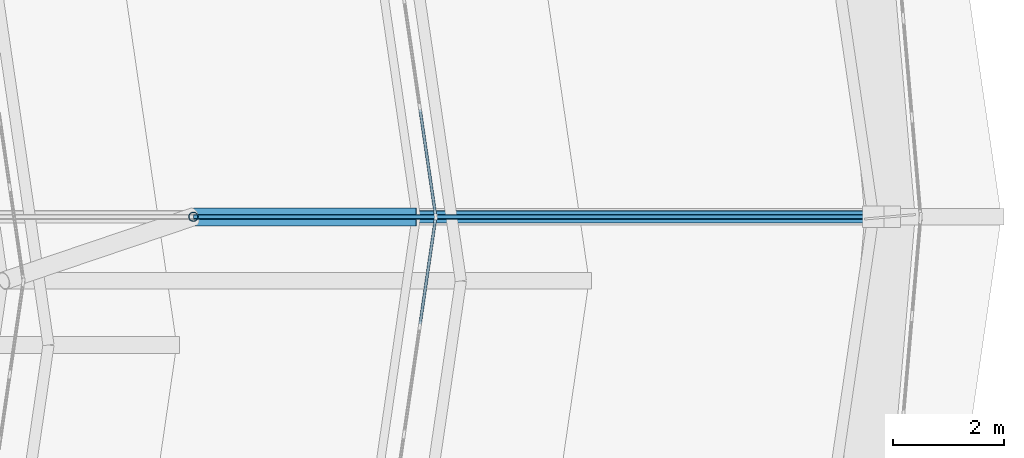
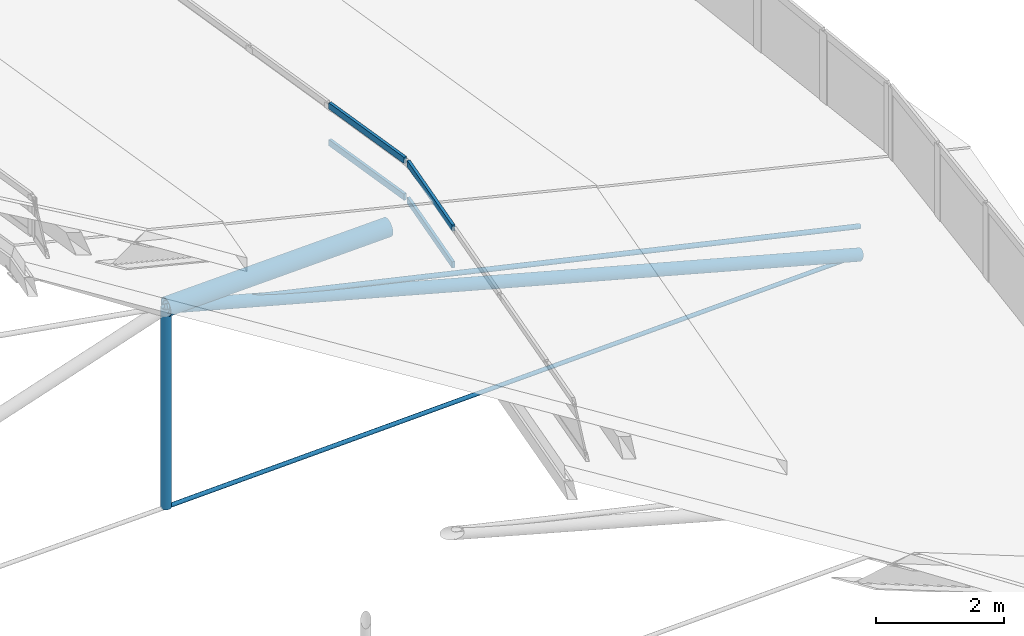
# One storey, part 91 of 173: 9 members, 2 elements without a shape of their own.
"""IFC4 building model written with IfcOpenShell, lengths in metres."""

from ifc_helpers import new_model, si_unit, direction, frame, origin, origin_2d, place, context, subcontext, project, spatial, rectangle, circle, hollow_circle, extrude, material, material_profile, profile_set, type_object, element, aggregate, save


model = new_model("IFC4")

# Units and contexts
model_context = context("Model", 3, precision=1e-05, world=origin(), true_north=direction((0.0, 1.0)))
body_context = subcontext(model_context, "Body", "Model", "MODEL_VIEW")
ifc_project = project(units=[si_unit("LENGTHUNIT", "METRE"), si_unit("AREAUNIT", "SQUARE_METRE"), si_unit("VOLUMEUNIT", "CUBIC_METRE"), si_unit("PLANEANGLEUNIT", "RADIAN"), si_unit("MASSUNIT", "GRAM", prefix="KILO")], contexts=[model_context])

# Site, building, storey
site_placement = place(None, origin())
site = spatial("IfcSite", under=ifc_project, at=site_placement, CompositionType="ELEMENT")
building_placement = place(site_placement, origin())
building = spatial("IfcBuilding", under=site, at=building_placement, Name="Glasvene Arena", CompositionType="ELEMENT")
storey_placement = place(building_placement, frame((0.0, 0.0, 28.800048828125)))
storey = spatial("IfcBuildingStorey", under=building, at=storey_placement, Name="RF", CompositionType="ELEMENT", Elevation=28.800048828125)

# Curtain wall, members
ifc_material_1 = material(Name="Low-emissivity laminated double glazing", Category="glass")
curtain_wall_type = type_object("IfcCurtainWallType", Name="CW-PET1-986x75", PredefinedType="USERDEFINED", material=ifc_material_1)
curtain_wall_1_placement = place(storey_placement, frame((133.85009765625, 73.0, 0.0)))
curtain_wall_1 = element("IfcCurtainWall", 1, at=curtain_wall_1_placement, inside=storey, type_object=curtain_wall_type, Name="Petal ring 1-2 clerestory curtain wall 01", ObjectType="CURTAIN WALL", PredefinedType="USERDEFINED")
ifc_material_2 = material(Name="Anodised architectural aluminium", Category="aluminium")
ifc_material_profile_1 = material_profile(ifc_material_2, rectangle(XDim=0.050048828125, YDim=0.1201171875, at=origin_2d()), Name="ALU TRANSOM 50x120")
ifc_profile_set_1 = profile_set([ifc_material_profile_1], Name="Anodised architectural aluminium")
member_type_1 = type_object("IfcMemberType", Name="CW-TRN-120", PredefinedType="USERDEFINED", material=ifc_profile_set_1)
member_1_placement = place(storey_placement, frame((133.8427734375, 73.049560546875, 2.60498046875), z_axis=(-0.144645532011, 0.989483537038, 0.0), x_axis=(-0.989483537038, -0.144645532011, 0.0)))
member_1 = element("IfcMember", 2, at=member_1_placement, type_object=member_type_1, Name="CW-081 transom 1.1", ObjectType="TRANSOM", PredefinedType="USERDEFINED", context=body_context, shape_type="SweptSolid", body=[
    extrude(rectangle(XDim=0.050048828125, YDim=0.1201171875, at=origin_2d()), origin(), (0.0, 0.0, 1.0), 1.897216796875),
])
member_2_placement = place(storey_placement, frame((133.8427734375, 73.049560546875, 3.304931640625), z_axis=(-0.144645532011, 0.989483537038, 0.0), x_axis=(-0.989483537038, -0.144645532011, 0.0)))
member_2 = element("IfcMember", 3, at=member_2_placement, type_object=member_type_1, Name="CW-081 transom 1.2", ObjectType="TRANSOM", PredefinedType="USERDEFINED", context=body_context, shape_type="SweptSolid", body=[
    extrude(rectangle(XDim=0.050048828125, YDim=0.1201171875, at=origin_2d()), origin(), (0.0, 0.0, 1.0), 1.897216796875),
])
aggregate(curtain_wall_1, [member_1, member_2])

curtain_wall_2_placement = place(storey_placement, frame((132.424072265625, 63.242431640625, 0.0)))
curtain_wall_2 = element("IfcCurtainWall", 4, at=curtain_wall_2_placement, inside=storey, type_object=curtain_wall_type, Name="Petal ring 1-2 clerestory curtain wall 24", ObjectType="CURTAIN WALL", PredefinedType="USERDEFINED")
member_3_placement = place(storey_placement, frame((133.568359375, 71.0732421875, 2.60498046875), z_axis=(0.144645532011, 0.989483537038, 0.0), x_axis=(-0.989483537038, 0.144645532011, 0.0)))
member_3 = element("IfcMember", 5, at=member_3_placement, type_object=member_type_1, Name="CW-081 transom 5.1", ObjectType="TRANSOM", PredefinedType="USERDEFINED", context=body_context, shape_type="SweptSolid", body=[
    extrude(rectangle(XDim=0.050048828125, YDim=0.1201171875, at=origin_2d()), origin(), (0.0, 0.0, 1.0), 1.897216796875),
])
member_4_placement = place(storey_placement, frame((133.568359375, 71.0732421875, 3.304931640625), z_axis=(0.144645532011, 0.989483537038, 0.0), x_axis=(-0.989483537038, 0.144645532011, 0.0)))
member_4 = element("IfcMember", 6, at=member_4_placement, type_object=member_type_1, Name="CW-081 transom 5.2", ObjectType="TRANSOM", PredefinedType="USERDEFINED", context=body_context, shape_type="SweptSolid", body=[
    extrude(rectangle(XDim=0.050048828125, YDim=0.1201171875, at=origin_2d()), origin(), (0.0, 0.0, 1.0), 1.897216796875),
])
aggregate(curtain_wall_2, [member_3, member_4])

# Members
ifc_material_3 = material(Name="High-strength steel spiral strand S460", Category="steel")
ifc_material_profile_2 = material_profile(ifc_material_3, circle(Radius=0.03759765625, at=origin_2d()), Name="LCSS D75")
ifc_profile_set_2 = profile_set([ifc_material_profile_2], Name="High-strength steel spiral strand S460")
member_type_2 = type_object("IfcMemberType", Name="MB-CABLE-75", PredefinedType="USERDEFINED", material=ifc_profile_set_2)
member_5_placement = place(storey_placement, frame((129.5, 73.0, -1.753173828125), z_axis=(0.999400282812, 0.0, 0.034627658236), x_axis=(0.0, 1.0, 0.0)))
element("IfcMember", 7, at=member_5_placement, inside=storey, type_object=member_type_2, Name="Lower stabilization roof cable EW04-08", ObjectType="ROOF CABLE", PredefinedType="USERDEFINED", context=body_context, shape_type="SweptSolid", body=[
    extrude(circle(Radius=0.03759765625, at=origin_2d()), origin(), (0.0, 0.0, 1.0), 12.507568359375),
])
ifc_material_profile_3 = material_profile(ifc_material_3, circle(Radius=0.044921875, at=origin_2d()), Name="LCSS D90")
ifc_profile_set_3 = profile_set([ifc_material_profile_3], Name="High-strength steel spiral strand S460")
member_type_3 = type_object("IfcMemberType", Name="MB-CABLE-90", PredefinedType="USERDEFINED", material=ifc_profile_set_3)
member_6_placement = place(storey_placement, frame((129.5, 73.0, 2.06103515625), z_axis=(0.975130236498, 0.0, -0.221632628166), x_axis=(0.0, 1.0, 0.0)))
element("IfcMember", 8, at=member_6_placement, inside=storey, type_object=member_type_3, Name="Upper lens roof cable EW04-08", ObjectType="ROOF CABLE", PredefinedType="USERDEFINED", context=body_context, shape_type="SweptSolid", body=[
    extrude(circle(Radius=0.044921875, at=origin_2d()), origin(), (0.0, 0.0, 1.0), 12.81884765625),
])
ifc_material_4 = material(Name="Steel S355J2", Category="steel")
ifc_material_profile_4 = material_profile(ifc_material_4, hollow_circle(Radius=0.161865234375, WallThickness=0.01611328125, at=origin_2d()), Name="CHS 323.9x16.0")
ifc_profile_set_4 = profile_set([ifc_material_profile_4], Name="Steel S355J2")
member_type_4 = type_object("IfcMemberType", Name="MB-POST-CHS324", PredefinedType="BRACE", material=ifc_profile_set_4)
member_7_placement = place(storey_placement, frame((129.5, 73.0, 2.06103515625), z_axis=(0.999543917579, 0.0, 0.030198622998), x_axis=(0.0, 1.0, 0.0)))
element("IfcMember", 9, at=member_7_placement, inside=storey, type_object=member_type_4, Name="Petal ring 1 ridge support post 01", PredefinedType="BRACE", context=body_context, shape_type="SweptSolid", body=[
    extrude(hollow_circle(Radius=0.161865234375, WallThickness=0.01611328125, at=origin_2d()), origin(), (0.0, 0.0, 1.0), 4.001708984375),
])
ifc_material_profile_5 = material_profile(ifc_material_4, hollow_circle(Radius=0.084228515625, WallThickness=0.008056640625, at=origin_2d()), Name="CHS 168.3x8.0")
ifc_profile_set_5 = profile_set([ifc_material_profile_5], Name="Steel S355J2")
member_type_5 = type_object("IfcMemberType", Name="MB-WEB-CHS168", PredefinedType="BRACE", material=ifc_profile_set_5)
member_8_placement = place(storey_placement, frame((129.5, 73.0, -1.753173828125), z_axis=(0.0, 0.0, 1.0), x_axis=(1.0, 0.0, 0.0)))
element("IfcMember", 10, at=member_8_placement, inside=storey, type_object=member_type_5, Name="Cable-truss vertical strut EW04-07", PredefinedType="BRACE", context=body_context, shape_type="SweptSolid", body=[
    extrude(hollow_circle(Radius=0.084228515625, WallThickness=0.008056640625, at=origin_2d()), origin(), (0.0, 0.0, 1.0), 3.814208984375),
])
ifc_material_profile_6 = material_profile(ifc_material_4, hollow_circle(Radius=0.109619140625, WallThickness=0.010009765625, at=origin_2d()), Name="CHS 219.1x10.0")
ifc_profile_set_6 = profile_set([ifc_material_profile_6], Name="Steel S355J2")
member_type_6 = type_object("IfcMemberType", Name="MB-WEB-CHS219", PredefinedType="BRACE", material=ifc_profile_set_6)
member_9_placement = place(storey_placement, frame((129.5, 73.0, 2.06103515625), z_axis=(0.965310367078, 0.0, -0.261105142064), x_axis=(0.0, 1.0, 0.0)))
element("IfcMember", 11, at=member_9_placement, inside=storey, type_object=member_type_6, Name="Cable-truss diagonal web strut EW04-08", PredefinedType="BRACE", context=body_context, shape_type="SweptSolid", body=[
    extrude(hollow_circle(Radius=0.109619140625, WallThickness=0.010009765625, at=origin_2d()), origin(), (0.0, 0.0, 1.0), 12.94921875),
])

save(model, "model.ifc")
